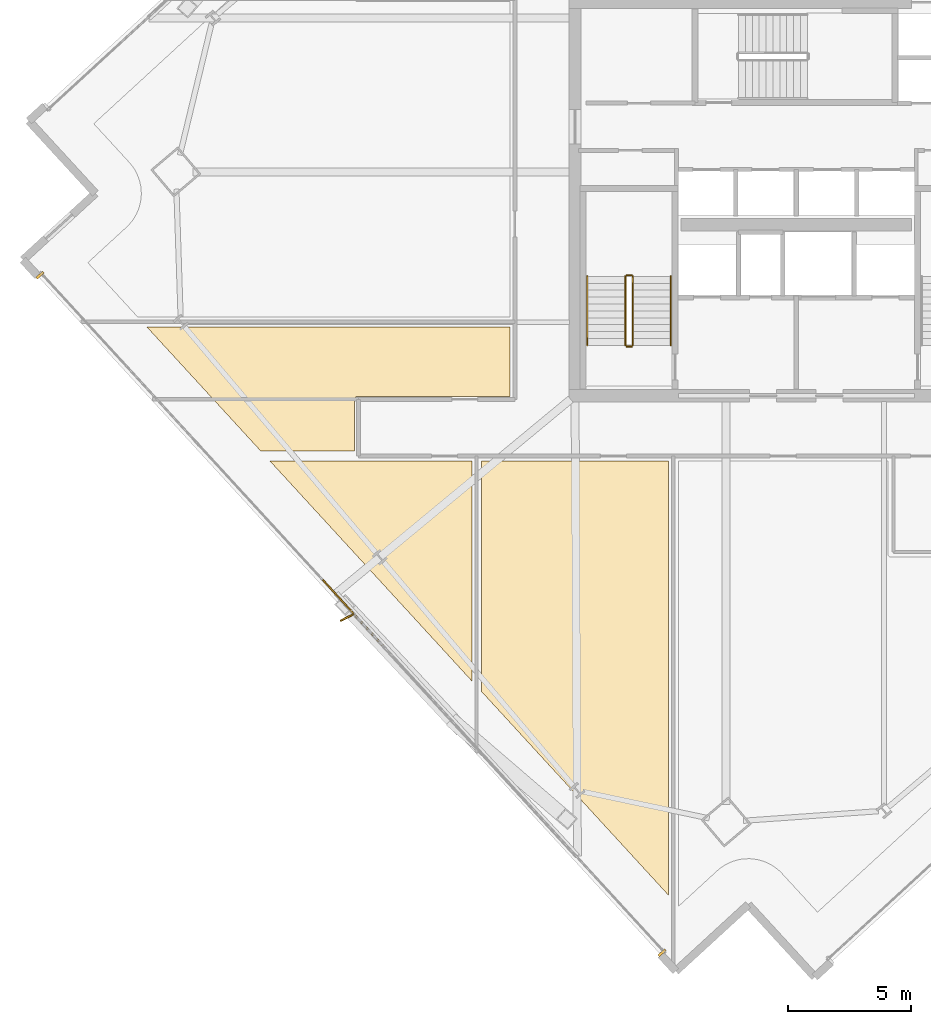
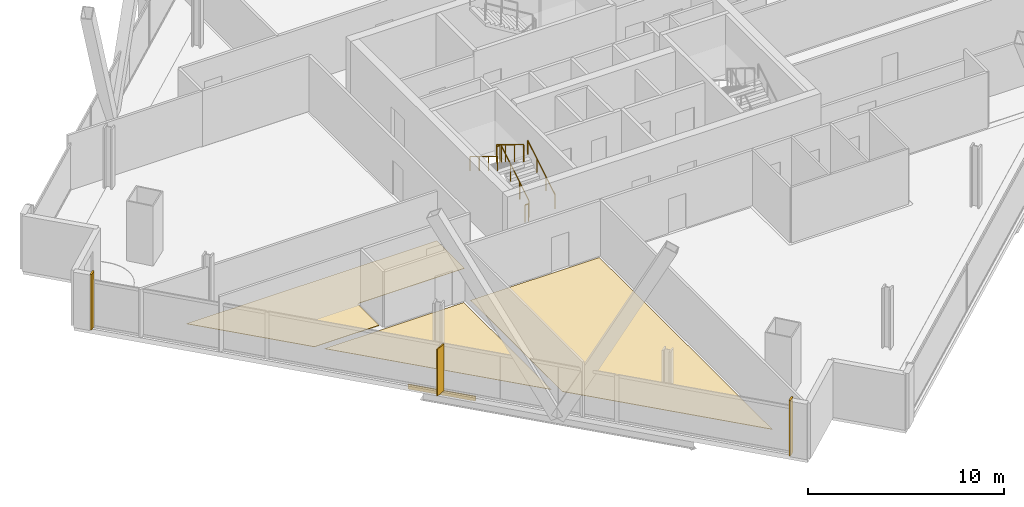
# One storey, part 28 of 32: 6 coverings, 6 railings, 1 shading device.
"""IFC4 building model written with IfcOpenShell, lengths in metres."""

from ifc_helpers import new_model, si_unit, direction, frame, origin, origin_2d, place, context, subcontext, project, spatial, polyline, rectangle, outline, extrude, source, transform, mapped, material, layer, layer_set, type_object, element, save


model = new_model("IFC4")

# Units and contexts
model_context = context("Model", 3, precision=1e-05, world=origin(), true_north=direction((0.0, 1.0)))
body_context = subcontext(model_context, "Body", "Model", "MODEL_VIEW")
ifc_project = project(units=[si_unit("LENGTHUNIT", "METRE"), si_unit("AREAUNIT", "SQUARE_METRE"), si_unit("VOLUMEUNIT", "CUBIC_METRE"), si_unit("PLANEANGLEUNIT", "RADIAN"), si_unit("MASSUNIT", "GRAM", prefix="KILO")], contexts=[model_context])

# Site, building, storey
site_placement = place(None, origin())
site = spatial("IfcSite", under=ifc_project, at=site_placement, CompositionType="ELEMENT")
building_placement = place(site_placement, origin())
building = spatial("IfcBuilding", under=site, at=building_placement, Name="Haldenkirk Collegiate Tower", CompositionType="ELEMENT")
storey_placement = place(building_placement, frame((0.0, 0.0, 170.699951171875)))
storey = spatial("IfcBuildingStorey", under=building, at=storey_placement, Name="L42", CompositionType="ELEMENT", Elevation=170.699951171875)

# Coverings
ifc_material_1 = material(Name="Polished collegiate terrazzo", Category="concrete")
ifc_layer_1 = layer(ifc_material_1, 0.02490234375)
ifc_layer_set_1 = layer_set([ifc_layer_1], Name="Polished collegiate terrazzo")
covering_type_1 = type_object("IfcCoveringType", Name="COV-FLOOR-TERRAZZO", PredefinedType="FLOORING", material=ifc_layer_set_1)
covering_1_placement = place(storey_placement, origin())
element("IfcCovering", 1, at=covering_1_placement, inside=storey, type_object=covering_type_1, Name="L42 academic room finish 02", PredefinedType="FLOORING", context=body_context, shape_type="SweptSolid", body=[
    extrude(outline(polyline([(23.199951171875, 5.9619140625), (23.199951171875, 15.35009765625), (30.800048828125, 15.35009765625), (30.800048828125, -2.3173828125), (23.199951171875, 5.9619140625)])), origin(), (0.0, 0.0, 1.0), 0.025146484375),
])
covering_2_placement = place(storey_placement, origin())
element("IfcCovering", 2, at=covering_2_placement, inside=storey, type_object=covering_type_1, Name="L42 academic room finish 08", PredefinedType="FLOORING", context=body_context, shape_type="SweptSolid", body=[
    extrude(outline(polyline([(18.14990234375, 17.969970703125), (18.13818359375, 17.969482421875), (18.126708984375, 17.9677734375), (18.115234375, 17.96484375), (18.10400390625, 17.9609375), (18.093505859375, 17.955810546875), (18.083251953125, 17.94970703125), (18.073974609375, 17.94287109375), (18.065185546875, 17.934814453125), (18.05712890625, 17.926025390625), (18.05029296875, 17.916748046875), (18.044189453125, 17.906494140625), (18.0390625, 17.89599609375), (18.03515625, 17.884765625), (18.0322265625, 17.873291015625), (18.030517578125, 17.86181640625), (18.030029296875, 17.85009765625), (18.030029296875, 15.75), (14.215087890625, 15.75), (9.57958984375, 20.800048828125), (24.35009765625, 20.800048828125), (24.35009765625, 17.969970703125), (18.14990234375, 17.969970703125)])), origin(), (0.0, 0.0, 1.0), 0.025146484375),
])
ifc_material_2 = material(Name="Engineered collegiate oak acoustic flooring", Category="wood")
ifc_layer_2 = layer(ifc_material_2, 0.02197265625)
ifc_layer_set_2 = layer_set([ifc_layer_2], Name="Engineered collegiate oak acoustic flooring")
covering_type_2 = type_object("IfcCoveringType", Name="COV-FLOOR-TIMBER", PredefinedType="FLOORING", material=ifc_layer_set_2)
covering_3_placement = place(storey_placement, origin())
element("IfcCovering", 3, at=covering_3_placement, inside=storey, type_object=covering_type_2, Name="L42 academic room finish 01", PredefinedType="FLOORING", context=body_context, shape_type="SweptSolid", body=[
    extrude(outline(polyline([(14.582275390625, 15.35009765625), (22.800048828125, 15.35009765625), (22.800048828125, 6.397705078125), (14.582275390625, 15.35009765625)])), origin(), (0.0, 0.0, 1.0), 0.02197265625),
])

# Railings
ifc_material_3 = material(Name="Painted architectural tubular steel", Category="steel")
railing_type_1 = type_object("IfcRailingType", Name="RLG-STAIR-GUARD-1100", PredefinedType="BALUSTRADE", material=ifc_material_3)
railing_1_placement = place(storey_placement, frame((29.35009765625, 20.050048828125, 0.17041015625)))
element("IfcRailing", 4, at=railing_1_placement, inside=storey, type_object=railing_type_1, Name="L42 ST-1 stair guard 1", PredefinedType="BALUSTRADE", context=body_context, shape_type="SweptSolid", body=[
    extrude(rectangle(XDim=0.048095703125, YDim=0.048095703125, at=origin_2d()), frame((0.0, 0.0, 1.076171875), z_axis=(0.0, 0.854169791009, 0.51999420009), x_axis=(-1.0, 0.0, 0.0)), (0.0, 0.0, 1.0), 3.278076171875),
    extrude(rectangle(XDim=0.0419921875, YDim=0.0419921875, at=origin_2d()), origin(), (0.0, 0.0, 1.0), 1.052001953125),
    extrude(rectangle(XDim=0.0419921875, YDim=0.0419921875, at=origin_2d()), frame((0.0, 0.933349609375, 0.568115234375)), (0.0, 0.0, 1.0), 1.052001953125),
    extrude(rectangle(XDim=0.0419921875, YDim=0.0419921875, at=origin_2d()), frame((0.0, 1.86669921875, 1.136474609375)), (0.0, 0.0, 1.0), 1.052001953125),
    extrude(rectangle(XDim=0.0419921875, YDim=0.0419921875, at=origin_2d()), frame((0.0, 2.800048828125, 1.70458984375)), (0.0, 0.0, 1.0), 1.052001953125),
])
railing_2_placement = place(storey_placement, frame((29.300048828125, 22.89990234375, 1.875)))
element("IfcRailing", 5, at=railing_2_placement, inside=storey, type_object=railing_type_1, Name="L42 ST-1 stair guard 2", PredefinedType="BALUSTRADE", context=body_context, shape_type="SweptSolid", body=[
    extrude(rectangle(XDim=0.048095703125, YDim=0.048095703125, at=origin_2d()), frame((0.0, 0.0, 1.076171875), z_axis=(-1.0, 0.0, 0.0), x_axis=(0.0, -1.0, 0.0)), (0.0, 0.0, 1.0), 0.199951171875),
    extrude(rectangle(XDim=0.0419921875, YDim=0.0419921875, at=origin_2d()), origin(), (0.0, 0.0, 1.0), 1.052001953125),
    extrude(rectangle(XDim=0.0419921875, YDim=0.0419921875, at=origin_2d()), frame((-0.199951171875, 0.0, 0.0)), (0.0, 0.0, 1.0), 1.052001953125),
])
railing_3_placement = place(storey_placement, frame((29.050048828125, 22.85009765625, 2.04541015625)))
element("IfcRailing", 6, at=railing_3_placement, inside=storey, type_object=railing_type_1, Name="L42 ST-1 stair guard 3", PredefinedType="BALUSTRADE", context=body_context, shape_type="SweptSolid", body=[
    extrude(rectangle(XDim=0.048095703125, YDim=0.048095703125, at=origin_2d()), frame((0.0, 0.0, 1.076171875), z_axis=(0.0, -0.854169791009, 0.51999420009), x_axis=(1.0, 0.0, 0.0)), (0.0, 0.0, 1.0), 3.278076171875),
    extrude(rectangle(XDim=0.0419921875, YDim=0.0419921875, at=origin_2d()), origin(), (0.0, 0.0, 1.0), 1.052001953125),
    extrude(rectangle(XDim=0.0419921875, YDim=0.0419921875, at=origin_2d()), frame((0.0, -0.933349609375, 0.568115234375)), (0.0, 0.0, 1.0), 1.052001953125),
    extrude(rectangle(XDim=0.0419921875, YDim=0.0419921875, at=origin_2d()), frame((0.0, -1.86669921875, 1.136474609375)), (0.0, 0.0, 1.0), 1.052001953125),
    extrude(rectangle(XDim=0.0419921875, YDim=0.0419921875, at=origin_2d()), frame((0.0, -2.800048828125, 1.70458984375)), (0.0, 0.0, 1.0), 1.052001953125),
])
railing_4_placement = place(storey_placement, frame((29.300048828125, 20.0, 0.0)))
element("IfcRailing", 7, at=railing_4_placement, inside=storey, type_object=railing_type_1, Name="L42 ST-1 stair guard 4", PredefinedType="BALUSTRADE", context=body_context, shape_type="SweptSolid", body=[
    extrude(rectangle(XDim=0.048095703125, YDim=0.048095703125, at=origin_2d()), frame((0.0, 0.0, 1.076171875), z_axis=(-1.0, 0.0, 0.0), x_axis=(0.0, -1.0, 0.0)), (0.0, 0.0, 1.0), 0.199951171875),
    extrude(rectangle(XDim=0.0419921875, YDim=0.0419921875, at=origin_2d()), origin(), (0.0, 0.0, 1.0), 1.052001953125),
    extrude(rectangle(XDim=0.0419921875, YDim=0.0419921875, at=origin_2d()), frame((-0.199951171875, 0.0, 0.0)), (0.0, 0.0, 1.0), 1.052001953125),
])
railing_type_2 = type_object("IfcRailingType", Name="RLG-STAIR-HANDRAIL-900", PredefinedType="HANDRAIL", material=ifc_material_3)
railing_5_placement = place(storey_placement, frame((30.89990234375, 20.050048828125, 0.17041015625)))
element("IfcRailing", 8, at=railing_5_placement, inside=storey, type_object=railing_type_2, Name="L42 ST-1 stair handrail 1", PredefinedType="HANDRAIL", context=body_context, shape_type="SweptSolid", body=[
    extrude(rectangle(XDim=0.048095703125, YDim=0.048095703125, at=origin_2d()), frame((0.0, 0.0, 0.8759765625), z_axis=(0.0, 0.854169791009, 0.51999420009), x_axis=(-1.0, 0.0, 0.0)), (0.0, 0.0, 1.0), 3.278076171875),
    extrude(rectangle(XDim=0.0419921875, YDim=0.0419921875, at=origin_2d()), origin(), (0.0, 0.0, 1.0), 0.851806640625),
    extrude(rectangle(XDim=0.0419921875, YDim=0.0419921875, at=origin_2d()), frame((0.0, 0.933349609375, 0.568115234375)), (0.0, 0.0, 1.0), 0.851806640625),
    extrude(rectangle(XDim=0.0419921875, YDim=0.0419921875, at=origin_2d()), frame((0.0, 1.86669921875, 1.136474609375)), (0.0, 0.0, 1.0), 0.851806640625),
    extrude(rectangle(XDim=0.0419921875, YDim=0.0419921875, at=origin_2d()), frame((0.0, 2.800048828125, 1.70458984375)), (0.0, 0.0, 1.0), 0.851806640625),
])
railing_6_placement = place(storey_placement, frame((27.5, 22.85009765625, 2.04541015625)))
element("IfcRailing", 9, at=railing_6_placement, inside=storey, type_object=railing_type_2, Name="L42 ST-1 stair handrail 2", PredefinedType="HANDRAIL", context=body_context, shape_type="SweptSolid", body=[
    extrude(rectangle(XDim=0.048095703125, YDim=0.048095703125, at=origin_2d()), frame((0.0, 0.0, 0.8759765625), z_axis=(0.0, -0.854169791009, 0.51999420009), x_axis=(1.0, 0.0, 0.0)), (0.0, 0.0, 1.0), 3.278076171875),
    extrude(rectangle(XDim=0.0419921875, YDim=0.0419921875, at=origin_2d()), origin(), (0.0, 0.0, 1.0), 0.851806640625),
    extrude(rectangle(XDim=0.0419921875, YDim=0.0419921875, at=origin_2d()), frame((0.0, -0.933349609375, 0.568115234375)), (0.0, 0.0, 1.0), 0.851806640625),
    extrude(rectangle(XDim=0.0419921875, YDim=0.0419921875, at=origin_2d()), frame((0.0, -1.86669921875, 1.136474609375)), (0.0, 0.0, 1.0), 0.851806640625),
    extrude(rectangle(XDim=0.0419921875, YDim=0.0419921875, at=origin_2d()), frame((0.0, -2.800048828125, 1.70458984375)), (0.0, 0.0, 1.0), 0.851806640625),
])

# Coverings
ifc_material_4 = material(Name="Anodised architectural bronze aluminium", Category="aluminium")
ifc_layer_3 = layer(ifc_material_4, 0.06005859375)
ifc_layer_set_3 = layer_set([ifc_layer_3], Name="Anodised architectural bronze aluminium")
covering_type_3 = type_object("IfcCoveringType", Name="COV-CLAD-BRONZE-60", PredefinedType="CLADDING", material=ifc_layer_set_3)
shared_shape_1 = source(origin(), body_context, "Body", "SweptSolid", [
    extrude(rectangle(XDim=3.60009765625, YDim=0.06005859375, at=origin_2d()), origin(), (0.0, 0.0, 1.0), 0.300048828125),
])
covering_4_placement = place(storey_placement, frame((17.95263671875, 9.17919921875, -0.2998046875), z_axis=(0.0, 0.0, 1.0), x_axis=(-0.67623334614, 0.736687492475, 0.0)))
element("IfcCovering", 10, at=covering_4_placement, inside=storey, type_object=covering_type_3, Name="L42 architectural bronze spandrel cladding W", PredefinedType="CLADDING", context=body_context, shape_type="MappedRepresentation", body=[
    mapped(shared_shape_1, transform((0.0, 0.0, 0.0), x_axis=(1.0, 0.0, 0.0), y_axis=(0.0, 1.0, 0.0), z_axis=(0.0, 0.0, 1.0), scale=1.0)),
])
shared_shape_2 = source(origin(), body_context, "Body", "SweptSolid", [
    extrude(rectangle(XDim=0.10009765625, YDim=0.3798828125, at=origin_2d()), origin(), (0.0, 0.0, 1.0), 3.4599609375),
])
for number, where, z_axis, x_axis, name in (
    (11, (30.537109375, -4.6630859375, 0.0), (0.0, 0.0, 1.0), (-0.67623334614, 0.736687492475, 0.0), "L42 recessed curtain-wall bronze jamb closure WJL"),
    (12, (5.23583984375, 22.89990234375, 0.0), (0.0, 0.0, 1.0), (-0.67623334614, 0.736687492475, 0.0), "L42 recessed curtain-wall bronze jamb closure WJR"),
):
    element("IfcCovering", number, at=place(storey_placement, frame(where, z_axis=z_axis, x_axis=x_axis)), inside=storey, type_object=covering_type_3, Name=name, PredefinedType="CLADDING", context=body_context, shape_type="MappedRepresentation", body=[
        mapped(shared_shape_2, transform((0.0, 0.0, 0.0), x_axis=(1.0, 0.0, 0.0), y_axis=(0.0, 1.0, 0.0), z_axis=(0.0, 0.0, 1.0), scale=1.0)),
    ])

# Shading device
ifc_layer_4 = layer(ifc_material_4, 0.06494140625)
ifc_layer_set_4 = layer_set([ifc_layer_4], Name="Anodised architectural bronze aluminium")
shading_device_type = type_object("IfcShadingDeviceType", Name="SHD-FIN-BRONZE-620", PredefinedType="USERDEFINED", material=ifc_layer_set_4)
shared_shape_3 = source(origin(), body_context, "Body", "SweptSolid", [
    extrude(rectangle(XDim=0.6201171875, YDim=0.06494140625, at=origin_2d()), origin(), (0.0, 0.0, 1.0), 2.910888671875),
])
shading_device_placement = place(storey_placement, frame((17.7353515625, 8.979736328125, 0.0), z_axis=(0.0, 0.0, 1.0), x_axis=(-0.894544639838, -0.446978620671, 0.0)))
element("IfcShadingDevice", 13, at=shading_device_placement, inside=storey, type_object=shading_device_type, Name="L42 folded bronze solar fin 1", ObjectType="FIN", PredefinedType="USERDEFINED", context=body_context, shape_type="MappedRepresentation", body=[
    mapped(shared_shape_3, transform((0.0, 0.0, 0.0), x_axis=(1.0, 0.0, 0.0), y_axis=(0.0, 1.0, 0.0), z_axis=(0.0, 0.0, 1.0), scale=1.0)),
])

save(model, "model.ifc")
